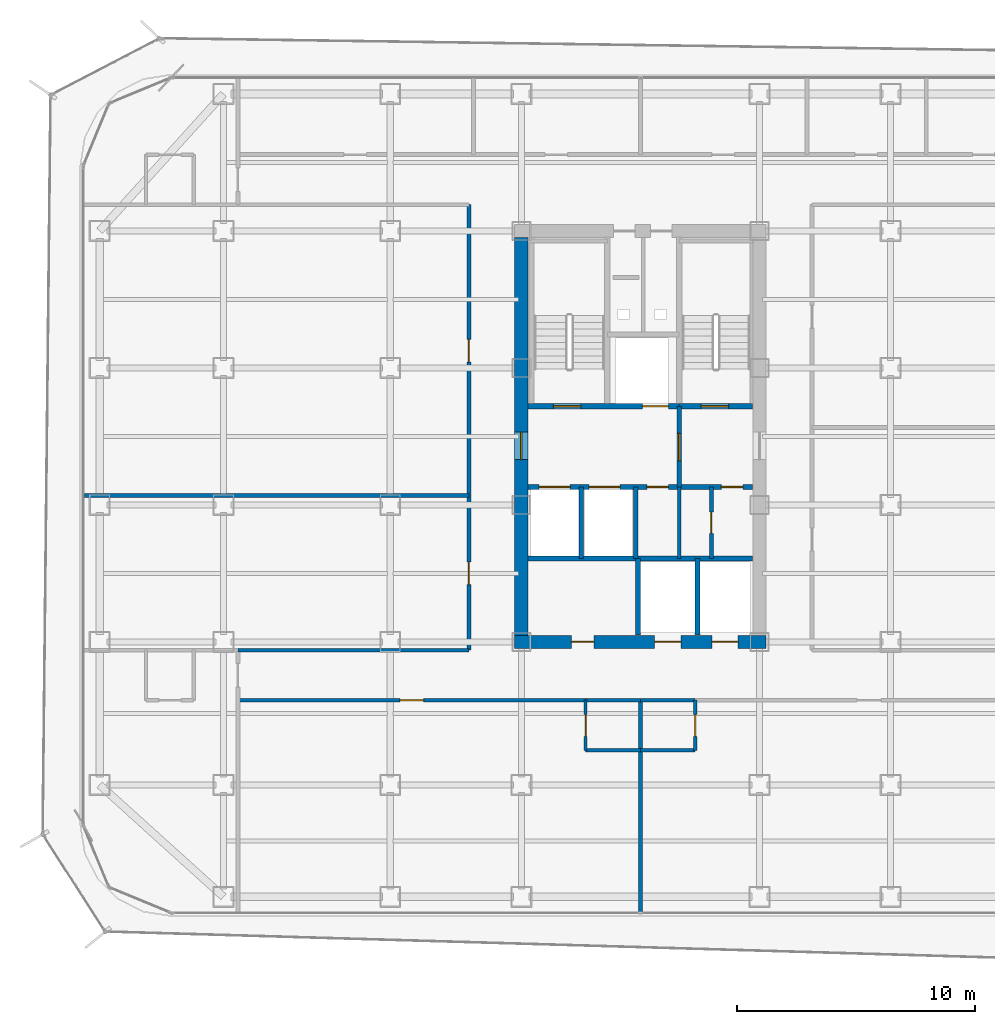
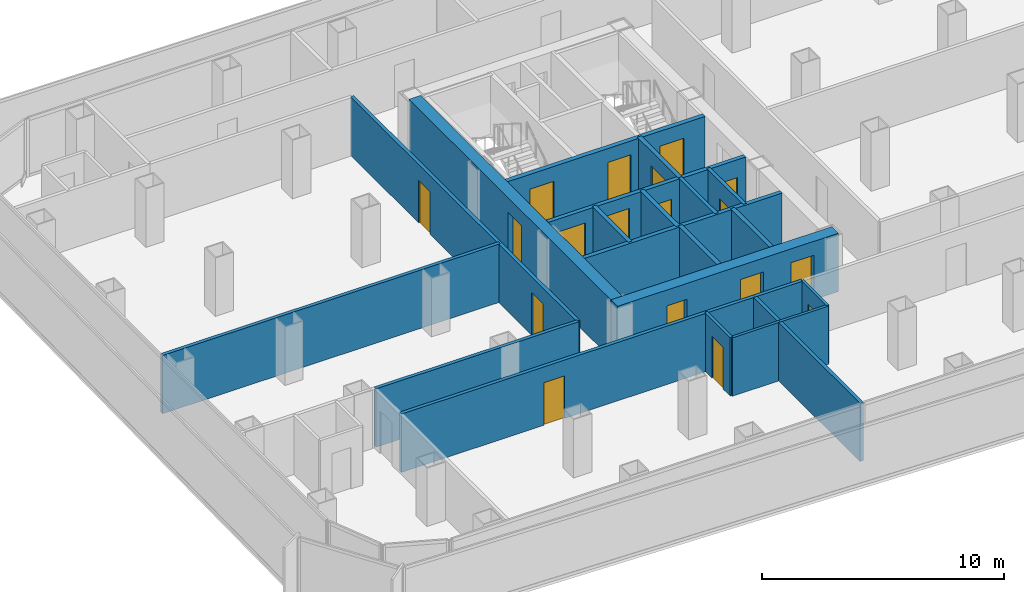
# One storey, part 16 of 21: 24 walls, 18 doors, 18 openings.
"""IFC4 building model written with IfcOpenShell, lengths in metres."""

from ifc_helpers import new_model, si_unit, direction, frame, frame_2d, origin, place, context, subcontext, project, spatial, rectangle, extrude, material, layer, layer_set, type_object, element, fill, save


model = new_model("IFC4")

# Units and contexts
model_context = context("Model", 3, precision=1e-05, world=origin(), true_north=direction((0.0, 1.0)))
body_context = subcontext(model_context, "Body", "Model", "MODEL_VIEW")
ifc_project = project(units=[si_unit("LENGTHUNIT", "METRE"), si_unit("AREAUNIT", "SQUARE_METRE"), si_unit("VOLUMEUNIT", "CUBIC_METRE"), si_unit("PLANEANGLEUNIT", "RADIAN"), si_unit("MASSUNIT", "GRAM", prefix="KILO")], contexts=[model_context])

# Site, building, storey
site_placement = place(None, origin())
site = spatial("IfcSite", under=ifc_project, at=site_placement, CompositionType="ELEMENT")
building_placement = place(site_placement, origin())
building = spatial("IfcBuilding", under=site, at=building_placement, Name="Kolveth Station Tower", CompositionType="ELEMENT")
storey_placement = place(building_placement, frame((0.0, 0.0, 131.10009765625)))
storey = spatial("IfcBuildingStorey", under=building, at=storey_placement, Name="L36", CompositionType="ELEMENT", Elevation=131.10009765625)

# Wall, openings, doors
ifc_material_1 = material(Name="Concrete C60/75", Category="concrete")
ifc_layer_1 = layer(ifc_material_1, 0.550048828125)
ifc_layer_set_1 = layer_set([ifc_layer_1], Name="Concrete C60/75")
wall_type_1 = type_object("IfcWallType", Name="Wall_CW-550", PredefinedType="SHEAR", material=ifc_layer_set_1)
wall_1_placement = place(storey_placement, frame((18.22509765625, 11.5, 0.0), z_axis=(0.0, 0.0, 1.0), x_axis=(1.0, 0.0, 0.0)))
wall_1 = element("IfcWall", 1, at=wall_1_placement, inside=storey, type_object=wall_type_1, Name="L36 Core RC Shear Wall S", PredefinedType="SHEAR", context=body_context, shape_type="SweptSolid", body=[
    extrude(rectangle(XDim=10.5498046875, YDim=0.550048828125, at=frame_2d((5.27490234375, 0.0))), origin(), (0.0, 0.0, 1.0), 2.949951171875),
])
opening_1_placement = place(wall_1_placement, frame((2.375, 0.0, 0.0)))
opening_1 = element("IfcOpeningElement", 2, at=opening_1_placement, cuts=wall_1, Name="Opening ID1", PredefinedType="OPENING", context=body_context, shape_type="SweptSolid", body=[
    extrude(rectangle(XDim=0.949951171875, YDim=2.14990234375, at=frame_2d((0.47509765625, 1.074951171875))), frame((0.0, 0.284912109375, 0.0), z_axis=(0.0, -1.0, 0.0), x_axis=(1.0, 0.0, 0.0)), (0.0, 0.0, 1.0), 0.570068359375),
])
opening_2_placement = place(wall_1_placement, frame((5.875, 0.0, 0.0)))
opening_2 = element("IfcOpeningElement", 3, at=opening_2_placement, cuts=wall_1, Name="Opening LD1", PredefinedType="OPENING", context=body_context, shape_type="SweptSolid", body=[
    extrude(rectangle(XDim=1.10009765625, YDim=2.25, at=frame_2d((0.550048828125, 1.125))), frame((0.0, 0.284912109375, 0.0), z_axis=(0.0, -1.0, 0.0), x_axis=(1.0, 0.0, 0.0)), (0.0, 0.0, 1.0), 0.570068359375),
])
opening_3_placement = place(wall_1_placement, frame((8.27490234375, 0.0, 0.0)))
opening_3 = element("IfcOpeningElement", 4, at=opening_3_placement, cuts=wall_1, Name="Opening LD1", PredefinedType="OPENING", context=body_context, shape_type="SweptSolid", body=[
    extrude(rectangle(XDim=1.10009765625, YDim=2.25, at=frame_2d((0.550048828125, 1.125))), frame((0.0, 0.284912109375, 0.0), z_axis=(0.0, -1.0, 0.0), x_axis=(1.0, 0.0, 0.0)), (0.0, 0.0, 1.0), 0.570068359375),
])
ifc_material_2 = material(Name="Acoustic hardwood leaf and aluminium frame", Category="wood")
door_type_1 = type_object("IfcDoorType", Name="Door_ID1", OperationType="NOTDEFINED", PredefinedType="DOOR", material=ifc_material_2)
door_1_placement = place(opening_1_placement, frame((0.949951171875, 0.0, 0.0), z_axis=(0.0, 0.0, 1.0), x_axis=(-1.0, 0.0, 0.0)))
door_1 = element("IfcDoor", 5, at=door_1_placement, inside=storey, type_object=door_type_1, Name="L36 Hotel Pantry Door", OperationType="SINGLE_SWING_LEFT", OverallHeight=2.14990234375, OverallWidth=0.949951171875, PredefinedType="DOOR", context=body_context, shape_type="SweptSolid", body=[
    extrude(rectangle(XDim=0.949951171875, YDim=2.14990234375, at=frame_2d((0.47509765625, 1.074951171875))), frame((0.0, 0.02490234375, 0.0), z_axis=(0.0, -1.0, 0.0), x_axis=(1.0, 0.0, 0.0)), (0.0, 0.0, 1.0), 0.050048828125),
])
fill(opening_1, door_1)
ifc_material_3 = material(Name="Brushed stainless steel sliding landing doors", Category="steel")
door_type_2 = type_object("IfcDoorType", Name="Door_LD1", OperationType="NOTDEFINED", PredefinedType="DOOR", material=ifc_material_3)
door_2_placement = place(opening_2_placement, frame((1.10009765625, 0.0, 0.0), z_axis=(0.0, 0.0, 1.0), x_axis=(-1.0, 0.0, 0.0)))
door_2 = element("IfcDoor", 6, at=door_2_placement, inside=storey, type_object=door_type_2, Name="L36 Lift PM1 Landing Door", OperationType="DOUBLE_DOOR_SLIDING", OverallHeight=2.25, OverallWidth=1.10009765625, PredefinedType="DOOR", context=body_context, shape_type="SweptSolid", body=[
    extrude(rectangle(XDim=1.10009765625, YDim=2.25, at=frame_2d((0.550048828125, 1.125))), frame((0.0, 0.02490234375, 0.0), z_axis=(0.0, -1.0, 0.0), x_axis=(1.0, 0.0, 0.0)), (0.0, 0.0, 1.0), 0.050048828125),
])
fill(opening_2, door_2)
door_3_placement = place(opening_3_placement, frame((1.10009765625, 0.0, 0.0), z_axis=(0.0, 0.0, 1.0), x_axis=(-1.0, 0.0, 0.0)))
door_3 = element("IfcDoor", 7, at=door_3_placement, inside=storey, type_object=door_type_2, Name="L36 Lift PH1 Landing Door", OperationType="DOUBLE_DOOR_SLIDING", OverallHeight=2.25, OverallWidth=1.10009765625, PredefinedType="DOOR", context=body_context, shape_type="SweptSolid", body=[
    extrude(rectangle(XDim=1.10009765625, YDim=2.25, at=frame_2d((0.550048828125, 1.125))), frame((0.0, 0.02490234375, 0.0), z_axis=(0.0, -1.0, 0.0), x_axis=(1.0, 0.0, 0.0)), (0.0, 0.0, 1.0), 0.050048828125),
])
fill(opening_3, door_3)

# Wall, opening, door
wall_2_placement = place(storey_placement, frame((18.5, 11.77490234375, 0.0), z_axis=(0.0, 0.0, 1.0), x_axis=(0.0, 1.0, 0.0)))
wall_2 = element("IfcWall", 8, at=wall_2_placement, inside=storey, type_object=wall_type_1, Name="L36 Core RC Shear Wall W", PredefinedType="SHEAR", context=body_context, shape_type="SweptSolid", body=[
    extrude(rectangle(XDim=16.7001953125, YDim=0.550048828125, at=frame_2d((8.35009765625, 0.0))), origin(), (0.0, 0.0, 1.0), 2.949951171875),
])
opening_4_placement = place(wall_2_placement, frame((7.375, 0.0, 0.0)))
opening_4 = element("IfcOpeningElement", 9, at=opening_4_placement, cuts=wall_2, Name="Opening FD1", PredefinedType="OPENING", context=body_context, shape_type="SweptSolid", body=[
    extrude(rectangle(XDim=1.14990234375, YDim=2.199951171875, at=frame_2d((0.574951171875, 1.10009765625))), frame((0.0, 0.284912109375, 0.0), z_axis=(0.0, -1.0, 0.0), x_axis=(1.0, 0.0, 0.0)), (0.0, 0.0, 1.0), 0.570068359375),
])
ifc_material_4 = material(Name="Fire-rated Steel S355 leaf and frame", Category="steel")
door_type_3 = type_object("IfcDoorType", Name="Door_FD1", OperationType="NOTDEFINED", PredefinedType="DOOR", material=ifc_material_4)
door_4_placement = place(opening_4_placement, frame((1.14990234375, 0.0, 0.0), z_axis=(0.0, 0.0, 1.0), x_axis=(-1.0, 0.0, 0.0)))
door_4 = element("IfcDoor", 10, at=door_4_placement, inside=storey, type_object=door_type_3, Name="L36 West Corridor to Firefighting Lobby Door", OperationType="SINGLE_SWING_LEFT", OverallHeight=2.199951171875, OverallWidth=1.14990234375, PredefinedType="DOOR", context=body_context, shape_type="SweptSolid", body=[
    extrude(rectangle(XDim=1.14990234375, YDim=2.199951171875, at=frame_2d((0.574951171875, 1.10009765625))), frame((0.0, 0.02490234375, 0.0), z_axis=(0.0, -1.0, 0.0), x_axis=(1.0, 0.0, 0.0)), (0.0, 0.0, 1.0), 0.050048828125),
])
fill(opening_4, door_4)

ifc_material_5 = material(Name="Moisture-resistant gypsum partition")
ifc_layer_2 = layer(ifc_material_5, 0.135009765625)
ifc_layer_set_2 = layer_set([ifc_layer_2], Name="Moisture-resistant gypsum partition")
wall_type_2 = type_object("IfcWallType", Name="Wall_IW-135", PredefinedType="PARTITIONING", material=ifc_layer_set_2)
wall_3_placement = place(storey_placement, frame((21.199951171875, 6.949951171875, 0.0), z_axis=(0.0, 0.0, 1.0), x_axis=(0.0, 1.0, 0.0)))
wall_3 = element("IfcWall", 11, at=wall_3_placement, inside=storey, type_object=wall_type_2, Name="L36 Partition Wall WL-L36-HS1-BV", PredefinedType="PARTITIONING", context=body_context, shape_type="SweptSolid", body=[
    extrude(rectangle(XDim=2.10009765625, YDim=0.135009765625, at=frame_2d((1.050048828125, 0.0))), origin(), (0.0, 0.0, 1.0), 2.949951171875),
])
opening_5_placement = place(wall_3_placement, frame((0.580078125, 0.0, 0.0)))
opening_5 = element("IfcOpeningElement", 12, at=opening_5_placement, cuts=wall_3, Name="Opening ID2", PredefinedType="OPENING", context=body_context, shape_type="SweptSolid", body=[
    extrude(rectangle(XDim=0.919921875, YDim=2.10009765625, at=frame_2d((0.4599609375, 1.050048828125))), frame((0.0, 0.077392578125, 0.0), z_axis=(0.0, -1.0, 0.0), x_axis=(1.0, 0.0, 0.0)), (0.0, 0.0, 1.0), 0.155029296875),
])
ifc_material_6 = material(Name="Moisture-resistant hardwood leaf", Category="wood")
door_type_4 = type_object("IfcDoorType", Name="Door_ID2", OperationType="NOTDEFINED", PredefinedType="DOOR", material=ifc_material_6)
door_5_placement = place(opening_5_placement, origin())
door_5 = element("IfcDoor", 13, at=door_5_placement, inside=storey, type_object=door_type_4, Name="L36 Hotel Corner Suite HS1 En-Suite Door", OperationType="SINGLE_SWING_RIGHT", OverallHeight=2.10009765625, OverallWidth=0.919921875, PredefinedType="DOOR", context=body_context, shape_type="SweptSolid", body=[
    extrude(rectangle(XDim=0.919921875, YDim=2.10009765625, at=frame_2d((0.4599609375, 1.050048828125))), frame((0.0, 0.02490234375, 0.0), z_axis=(0.0, -1.0, 0.0), x_axis=(1.0, 0.0, 0.0)), (0.0, 0.0, 1.0), 0.050048828125),
])
fill(opening_5, door_5)

# Wall
wall_4_placement = place(storey_placement, frame((21.199951171875, 6.949951171875, 0.0), z_axis=(0.0, 0.0, 1.0), x_axis=(1.0, 0.0, 0.0)))
element("IfcWall", 14, at=wall_4_placement, inside=storey, type_object=wall_type_2, Name="L36 Partition Wall WL-L36-HS1-BH", PredefinedType="PARTITIONING", context=body_context, shape_type="SweptSolid", body=[
    extrude(rectangle(XDim=2.300048828125, YDim=0.135009765625, at=frame_2d((1.14990234375, 0.0))), origin(), (0.0, 0.0, 1.0), 2.949951171875),
])

# Wall, opening, door
wall_5_placement = place(storey_placement, frame((25.800048828125, 6.949951171875, 0.0), z_axis=(0.0, 0.0, 1.0), x_axis=(0.0, 1.0, 0.0)))
wall_5 = element("IfcWall", 15, at=wall_5_placement, inside=storey, type_object=wall_type_2, Name="L36 Partition Wall WL-L36-HS2-BV", PredefinedType="PARTITIONING", context=body_context, shape_type="SweptSolid", body=[
    extrude(rectangle(XDim=2.10009765625, YDim=0.135009765625, at=frame_2d((1.050048828125, 0.0))), origin(), (0.0, 0.0, 1.0), 2.949951171875),
])
opening_6_placement = place(wall_5_placement, frame((0.580078125, 0.0, 0.0)))
opening_6 = element("IfcOpeningElement", 16, at=opening_6_placement, cuts=wall_5, Name="Opening ID2", PredefinedType="OPENING", context=body_context, shape_type="SweptSolid", body=[
    extrude(rectangle(XDim=0.919921875, YDim=2.10009765625, at=frame_2d((0.4599609375, 1.050048828125))), frame((0.0, 0.077392578125, 0.0), z_axis=(0.0, -1.0, 0.0), x_axis=(1.0, 0.0, 0.0)), (0.0, 0.0, 1.0), 0.155029296875),
])
door_6_placement = place(opening_6_placement, frame((0.919921875, 0.0, 0.0), z_axis=(0.0, 0.0, 1.0), x_axis=(-1.0, 0.0, 0.0)))
door_6 = element("IfcDoor", 17, at=door_6_placement, inside=storey, type_object=door_type_4, Name="L36 Hotel Corner Suite HS2 En-Suite Door", OperationType="SINGLE_SWING_RIGHT", OverallHeight=2.10009765625, OverallWidth=0.919921875, PredefinedType="DOOR", context=body_context, shape_type="SweptSolid", body=[
    extrude(rectangle(XDim=0.919921875, YDim=2.10009765625, at=frame_2d((0.4599609375, 1.050048828125))), frame((0.0, 0.02490234375, 0.0), z_axis=(0.0, -1.0, 0.0), x_axis=(1.0, 0.0, 0.0)), (0.0, 0.0, 1.0), 0.050048828125),
])
fill(opening_6, door_6)

# Walls
wall_6_placement = place(storey_placement, frame((23.5, 6.949951171875, 0.0), z_axis=(0.0, 0.0, 1.0), x_axis=(1.0, 0.0, 0.0)))
element("IfcWall", 18, at=wall_6_placement, inside=storey, type_object=wall_type_2, Name="L36 Partition Wall WL-L36-HS2-BH", PredefinedType="PARTITIONING", context=body_context, shape_type="SweptSolid", body=[
    extrude(rectangle(XDim=2.300048828125, YDim=0.135009765625, at=frame_2d((1.14990234375, 0.0))), origin(), (0.0, 0.0, 1.0), 2.949951171875),
])
ifc_material_7 = material(Name="Acoustic double-stud gypsum partition")
ifc_layer_3 = layer(ifc_material_7, 0.1650390625)
ifc_layer_set_3 = layer_set([ifc_layer_3], Name="Acoustic double-stud gypsum partition")
wall_type_3 = type_object("IfcWallType", Name="Wall_IW-165", PredefinedType="PARTITIONING", material=ifc_layer_set_3)
wall_7_placement = place(storey_placement, frame((25.1298828125, 15.0, 0.0), z_axis=(0.0, 0.0, 1.0), x_axis=(0.0, 1.0, 0.0)))
element("IfcWall", 19, at=wall_7_placement, inside=storey, type_object=wall_type_3, Name="L36 Partition Wall WL-L36-CB-V3A", PredefinedType="PARTITIONING", context=body_context, shape_type="SweptSolid", body=[
    extrude(rectangle(XDim=3.0, YDim=0.1650390625, at=frame_2d((1.5, 0.0))), origin(), (0.0, 0.0, 1.0), 2.949951171875),
])

# Wall, opening, door
wall_8_placement = place(storey_placement, frame((26.47998046875, 15.0, 0.0), z_axis=(0.0, 0.0, 1.0), x_axis=(0.0, 1.0, 0.0)))
wall_8 = element("IfcWall", 20, at=wall_8_placement, inside=storey, type_object=wall_type_3, Name="L36 Partition Wall WL-L36-CB-V3B", PredefinedType="PARTITIONING", context=body_context, shape_type="SweptSolid", body=[
    extrude(rectangle(XDim=3.0, YDim=0.1650390625, at=frame_2d((1.5, 0.0))), origin(), (0.0, 0.0, 1.0), 2.949951171875),
])
opening_7_placement = place(wall_8_placement, frame((1.050048828125, 0.0, 0.0)))
opening_7 = element("IfcOpeningElement", 21, at=opening_7_placement, cuts=wall_8, Name="Opening RD1", PredefinedType="OPENING", context=body_context, shape_type="SweptSolid", body=[
    extrude(rectangle(XDim=0.89990234375, YDim=2.050048828125, at=frame_2d((0.449951171875, 1.02490234375))), frame((0.0, 0.092529296875, 0.0), z_axis=(0.0, -1.0, 0.0), x_axis=(1.0, 0.0, 0.0)), (0.0, 0.0, 1.0), 0.18505859375),
])
ifc_material_8 = material(Name="Fire-rated Steel S355 riser access leaf", Category="steel")
door_type_5 = type_object("IfcDoorType", Name="Door_RD1", OperationType="NOTDEFINED", PredefinedType="DOOR", material=ifc_material_8)
door_7_placement = place(opening_7_placement, origin())
door_7 = element("IfcDoor", 22, at=door_7_placement, inside=storey, type_object=door_type_5, Name="L36 Core Meter Closet Door", OperationType="SINGLE_SWING_LEFT", OverallHeight=2.050048828125, OverallWidth=0.89990234375, PredefinedType="DOOR", context=body_context, shape_type="SweptSolid", body=[
    extrude(rectangle(XDim=0.89990234375, YDim=2.050048828125, at=frame_2d((0.449951171875, 1.02490234375))), frame((0.0, 0.02490234375, 0.0), z_axis=(0.0, -1.0, 0.0), x_axis=(1.0, 0.0, 0.0)), (0.0, 0.0, 1.0), 0.050048828125),
])
fill(opening_7, door_7)

# Wall
wall_9_placement = place(storey_placement, frame((6.60009765625, 11.14990234375, 0.0), z_axis=(0.0, 0.0, 1.0), x_axis=(1.0, 0.0, 0.0)))
element("IfcWall", 23, at=wall_9_placement, inside=storey, type_object=wall_type_3, Name="L36 Partition Wall WL-L36-HSWT", PredefinedType="PARTITIONING", context=body_context, shape_type="SweptSolid", body=[
    extrude(rectangle(XDim=9.699951171875, YDim=0.1650390625, at=frame_2d((4.85009765625, 0.0))), origin(), (0.0, 0.0, 1.0), 2.949951171875),
])

# Wall, openings, doors
wall_10_placement = place(storey_placement, frame((16.300048828125, 11.14990234375, 0.0), z_axis=(0.0, 0.0, 1.0), x_axis=(0.0, 1.0, 0.0)))
wall_10 = element("IfcWall", 24, at=wall_10_placement, inside=storey, type_object=wall_type_3, Name="L36 Partition Wall WL-L36-HW", PredefinedType="PARTITIONING", context=body_context, shape_type="SweptSolid", body=[
    extrude(rectangle(XDim=18.7001953125, YDim=0.1650390625, at=frame_2d((9.35009765625, 0.0))), origin(), (0.0, 0.0, 1.0), 2.949951171875),
])
opening_8_placement = place(wall_10_placement, frame((2.75, 0.0, 0.0)))
opening_8 = element("IfcOpeningElement", 25, at=opening_8_placement, cuts=wall_10, Name="Opening ID1", PredefinedType="OPENING", context=body_context, shape_type="SweptSolid", body=[
    extrude(rectangle(XDim=0.949951171875, YDim=2.14990234375, at=frame_2d((0.47509765625, 1.074951171875))), frame((0.0, 0.092529296875, 0.0), z_axis=(0.0, -1.0, 0.0), x_axis=(1.0, 0.0, 0.0)), (0.0, 0.0, 1.0), 0.18505859375),
])
opening_9_placement = place(wall_10_placement, frame((12.10009765625, 0.0, 0.0)))
opening_9 = element("IfcOpeningElement", 26, at=opening_9_placement, cuts=wall_10, Name="Opening ID1", PredefinedType="OPENING", context=body_context, shape_type="SweptSolid", body=[
    extrude(rectangle(XDim=0.949951171875, YDim=2.14990234375, at=frame_2d((0.47509765625, 1.074951171875))), frame((0.0, 0.092529296875, 0.0), z_axis=(0.0, -1.0, 0.0), x_axis=(1.0, 0.0, 0.0)), (0.0, 0.0, 1.0), 0.18505859375),
])
door_8_placement = place(opening_8_placement, frame((0.949951171875, 0.0, 0.0), z_axis=(0.0, 0.0, 1.0), x_axis=(-1.0, 0.0, 0.0)))
door_8 = element("IfcDoor", 27, at=door_8_placement, inside=storey, type_object=door_type_1, Name="L36 Hospitality Office Door", OperationType="SINGLE_SWING_LEFT", OverallHeight=2.14990234375, OverallWidth=0.949951171875, PredefinedType="DOOR", context=body_context, shape_type="SweptSolid", body=[
    extrude(rectangle(XDim=0.949951171875, YDim=2.14990234375, at=frame_2d((0.47509765625, 1.074951171875))), frame((0.0, 0.02490234375, 0.0), z_axis=(0.0, -1.0, 0.0), x_axis=(1.0, 0.0, 0.0)), (0.0, 0.0, 1.0), 0.050048828125),
])
fill(opening_8, door_8)
door_9_placement = place(opening_9_placement, frame((0.949951171875, 0.0, 0.0), z_axis=(0.0, 0.0, 1.0), x_axis=(-1.0, 0.0, 0.0)))
door_9 = element("IfcDoor", 28, at=door_9_placement, inside=storey, type_object=door_type_1, Name="L36 Hotel Guest Lounge Door", OperationType="SINGLE_SWING_RIGHT", OverallHeight=2.14990234375, OverallWidth=0.949951171875, PredefinedType="DOOR", context=body_context, shape_type="SweptSolid", body=[
    extrude(rectangle(XDim=0.949951171875, YDim=2.14990234375, at=frame_2d((0.47509765625, 1.074951171875))), frame((0.0, 0.02490234375, 0.0), z_axis=(0.0, -1.0, 0.0), x_axis=(1.0, 0.0, 0.0)), (0.0, 0.0, 1.0), 0.050048828125),
])
fill(opening_9, door_9)

# Wall
wall_11_placement = place(storey_placement, frame((21.199951171875, 9.050048828125, 0.0), z_axis=(0.0, 0.0, 1.0), x_axis=(1.0, 0.0, 0.0)))
element("IfcWall", 29, at=wall_11_placement, inside=storey, type_object=wall_type_3, Name="L36 Partition Wall WL-L36-HS1-BCOR", PredefinedType="PARTITIONING", context=body_context, shape_type="SweptSolid", body=[
    extrude(rectangle(XDim=2.300048828125, YDim=0.1650390625, at=frame_2d((1.14990234375, 0.0))), origin(), (0.0, 0.0, 1.0), 2.949951171875),
])

# Wall, opening, door
wall_12_placement = place(storey_placement, frame((6.60009765625, 9.050048828125, 0.0), z_axis=(0.0, 0.0, 1.0), x_axis=(1.0, 0.0, 0.0)))
wall_12 = element("IfcWall", 30, at=wall_12_placement, inside=storey, type_object=wall_type_3, Name="L36 Partition Wall WL-L36-HS1-RCOR", PredefinedType="PARTITIONING", context=body_context, shape_type="SweptSolid", body=[
    extrude(rectangle(XDim=14.599853515625, YDim=0.1650390625, at=frame_2d((7.2998046875, 0.0))), origin(), (0.0, 0.0, 1.0), 2.949951171875),
])
opening_10_placement = place(wall_12_placement, frame((6.800048828125, 0.0, 0.0)))
opening_10 = element("IfcOpeningElement", 31, at=opening_10_placement, cuts=wall_12, Name="Opening FD3", PredefinedType="OPENING", context=body_context, shape_type="SweptSolid", body=[
    extrude(rectangle(XDim=1.0, YDim=2.14990234375, at=frame_2d((0.5, 1.074951171875))), frame((0.0, 0.092529296875, 0.0), z_axis=(0.0, -1.0, 0.0), x_axis=(1.0, 0.0, 0.0)), (0.0, 0.0, 1.0), 0.18505859375),
])
ifc_material_9 = material(Name="Fire-rated hardwood leaf and aluminium frame", Category="wood")
door_type_6 = type_object("IfcDoorType", Name="Door_FD3", OperationType="NOTDEFINED", PredefinedType="DOOR", material=ifc_material_9)
door_10_placement = place(opening_10_placement, frame((1.0, 0.0, 0.0), z_axis=(0.0, 0.0, 1.0), x_axis=(-1.0, 0.0, 0.0)))
door_10 = element("IfcDoor", 32, at=door_10_placement, inside=storey, type_object=door_type_6, Name="L36 Hotel Corner Suite HS1 Entrance Door", OperationType="SINGLE_SWING_LEFT", OverallHeight=2.14990234375, OverallWidth=1.0, PredefinedType="DOOR", context=body_context, shape_type="SweptSolid", body=[
    extrude(rectangle(XDim=1.0, YDim=2.14990234375, at=frame_2d((0.5, 1.074951171875))), frame((0.0, 0.02490234375, 0.0), z_axis=(0.0, -1.0, 0.0), x_axis=(1.0, 0.0, 0.0)), (0.0, 0.0, 1.0), 0.050048828125),
])
fill(opening_10, door_10)

# Walls
wall_13_placement = place(storey_placement, frame((23.5, 0.159912109375, 0.0), z_axis=(0.0, 0.0, 1.0), x_axis=(0.0, 1.0, 0.0)))
element("IfcWall", 33, at=wall_13_placement, inside=storey, type_object=wall_type_3, Name="L36 Partition Wall WL-L36-HSK-1", PredefinedType="PARTITIONING", context=body_context, shape_type="SweptSolid", body=[
    extrude(rectangle(XDim=8.89013671875, YDim=0.1650390625, at=frame_2d((4.445068359375, 0.0))), origin(), (0.0, 0.0, 1.0), 2.949951171875),
])
wall_14_placement = place(storey_placement, frame((23.5, 9.050048828125, 0.0), z_axis=(0.0, 0.0, 1.0), x_axis=(1.0, 0.0, 0.0)))
element("IfcWall", 34, at=wall_14_placement, inside=storey, type_object=wall_type_3, Name="L36 Partition Wall WL-L36-HS2-BCOR", PredefinedType="PARTITIONING", context=body_context, shape_type="SweptSolid", body=[
    extrude(rectangle(XDim=2.300048828125, YDim=0.1650390625, at=frame_2d((1.14990234375, 0.0))), origin(), (0.0, 0.0, 1.0), 2.949951171875),
])
wall_15_placement = place(storey_placement, frame((0.159912109375, 17.64990234375, 0.0), z_axis=(0.0, 0.0, 1.0), x_axis=(1.0, 0.0, 0.0)))
element("IfcWall", 35, at=wall_15_placement, inside=storey, type_object=wall_type_3, Name="L36 Partition Wall WL-L36-HMW-P1", PredefinedType="PARTITIONING", context=body_context, shape_type="SweptSolid", body=[
    extrude(rectangle(XDim=16.14013671875, YDim=0.1650390625, at=frame_2d((8.070068359375, 0.0))), origin(), (0.0, 0.0, 1.0), 2.949951171875),
])

# Wall, opening, door
ifc_material_10 = material(Name="Acoustic fire-rated gypsum blockwork", Category="masonry")
ifc_layer_4 = layer(ifc_material_10, 0.199951171875)
ifc_layer_set_4 = layer_set([ifc_layer_4], Name="Acoustic fire-rated gypsum blockwork")
wall_type_4 = type_object("IfcWallType", Name="Wall_IW-200", PredefinedType="PARTITIONING", material=ifc_layer_set_4)
wall_16_placement = place(storey_placement, frame((25.1298828125, 18.0, 0.0), z_axis=(0.0, 0.0, 1.0), x_axis=(0.0, 1.0, 0.0)))
wall_16 = element("IfcWall", 36, at=wall_16_placement, inside=storey, type_object=wall_type_4, Name="L36 Partition Wall WL-L36-FFL-E", PredefinedType="PARTITIONING", context=body_context, shape_type="SweptSolid", body=[
    extrude(rectangle(XDim=3.389892578125, YDim=0.199951171875, at=frame_2d((1.69482421875, 0.0))), origin(), (0.0, 0.0, 1.0), 2.949951171875),
])
opening_11_placement = place(wall_16_placement, frame((1.10009765625, 0.0, 0.0)))
opening_11 = element("IfcOpeningElement", 37, at=opening_11_placement, cuts=wall_16, Name="Opening FD1", PredefinedType="OPENING", context=body_context, shape_type="SweptSolid", body=[
    extrude(rectangle(XDim=1.14990234375, YDim=2.199951171875, at=frame_2d((0.574951171875, 1.10009765625))), frame((0.0, 0.10986328125, 0.0), z_axis=(0.0, -1.0, 0.0), x_axis=(1.0, 0.0, 0.0)), (0.0, 0.0, 1.0), 0.219970703125),
])
door_11_placement = place(opening_11_placement, origin())
door_11 = element("IfcDoor", 38, at=door_11_placement, inside=storey, type_object=door_type_3, Name="L36 Firefighting to Stair Lobby Door", OperationType="SINGLE_SWING_LEFT", OverallHeight=2.199951171875, OverallWidth=1.14990234375, PredefinedType="DOOR", context=body_context, shape_type="SweptSolid", body=[
    extrude(rectangle(XDim=1.14990234375, YDim=2.199951171875, at=frame_2d((0.574951171875, 1.10009765625))), frame((0.0, 0.02490234375, 0.0), z_axis=(0.0, -1.0, 0.0), x_axis=(1.0, 0.0, 0.0)), (0.0, 0.0, 1.0), 0.050048828125),
])
fill(opening_11, door_11)

# Wall, openings, doors
wall_17_placement = place(storey_placement, frame((18.784912109375, 18.0, 0.0), z_axis=(0.0, 0.0, 1.0), x_axis=(1.0, 0.0, 0.0)))
wall_17 = element("IfcWall", 39, at=wall_17_placement, inside=storey, type_object=wall_type_4, Name="L36 Partition Wall WL-L36-FFL-S", PredefinedType="PARTITIONING", context=body_context, shape_type="SweptSolid", body=[
    extrude(rectangle(XDim=9.43017578125, YDim=0.199951171875, at=frame_2d((4.715087890625, 0.0))), origin(), (0.0, 0.0, 1.0), 2.949951171875),
])
opening_12_placement = place(wall_17_placement, frame((0.465087890625, 0.0, 0.0)))
opening_12 = element("IfcOpeningElement", 40, at=opening_12_placement, cuts=wall_17, Name="Opening LD2", PredefinedType="OPENING", context=body_context, shape_type="SweptSolid", body=[
    extrude(rectangle(XDim=1.300048828125, YDim=2.300048828125, at=frame_2d((0.64990234375, 1.14990234375))), frame((0.0, 0.10986328125, 0.0), z_axis=(0.0, -1.0, 0.0), x_axis=(1.0, 0.0, 0.0)), (0.0, 0.0, 1.0), 0.219970703125),
])
opening_13_placement = place(wall_17_placement, frame((2.56494140625, 0.0, 0.0)))
opening_13 = element("IfcOpeningElement", 41, at=opening_13_placement, cuts=wall_17, Name="Opening LD2", PredefinedType="OPENING", context=body_context, shape_type="SweptSolid", body=[
    extrude(rectangle(XDim=1.300048828125, YDim=2.300048828125, at=frame_2d((0.64990234375, 1.14990234375))), frame((0.0, 0.10986328125, 0.0), z_axis=(0.0, -1.0, 0.0), x_axis=(1.0, 0.0, 0.0)), (0.0, 0.0, 1.0), 0.219970703125),
])
opening_14_placement = place(wall_17_placement, frame((4.985107421875, 0.0, 0.0)))
opening_14 = element("IfcOpeningElement", 42, at=opening_14_placement, cuts=wall_17, Name="Opening RD1", PredefinedType="OPENING", context=body_context, shape_type="SweptSolid", body=[
    extrude(rectangle(XDim=0.89990234375, YDim=2.050048828125, at=frame_2d((0.449951171875, 1.02490234375))), frame((0.0, 0.10986328125, 0.0), z_axis=(0.0, -1.0, 0.0), x_axis=(1.0, 0.0, 0.0)), (0.0, 0.0, 1.0), 0.219970703125),
])
opening_15_placement = place(wall_17_placement, frame((8.114990234375, 0.0, 0.0)))
opening_15 = element("IfcOpeningElement", 43, at=opening_15_placement, cuts=wall_17, Name="Opening RD1", PredefinedType="OPENING", context=body_context, shape_type="SweptSolid", body=[
    extrude(rectangle(XDim=0.89990234375, YDim=2.050048828125, at=frame_2d((0.449951171875, 1.02490234375))), frame((0.0, 0.10986328125, 0.0), z_axis=(0.0, -1.0, 0.0), x_axis=(1.0, 0.0, 0.0)), (0.0, 0.0, 1.0), 0.219970703125),
])
ifc_material_11 = material(Name="Firefighting stainless steel sliding landing doors", Category="steel")
door_type_7 = type_object("IfcDoorType", Name="Door_LD2", OperationType="NOTDEFINED", PredefinedType="DOOR", material=ifc_material_11)
door_12_placement = place(opening_12_placement, origin())
door_12 = element("IfcDoor", 44, at=door_12_placement, inside=storey, type_object=door_type_7, Name="L36 Firefighting Lift FF1 Landing Door", OperationType="DOUBLE_DOOR_SLIDING", OverallHeight=2.300048828125, OverallWidth=1.300048828125, PredefinedType="DOOR", context=body_context, shape_type="SweptSolid", body=[
    extrude(rectangle(XDim=1.300048828125, YDim=2.300048828125, at=frame_2d((0.64990234375, 1.14990234375))), frame((0.0, 0.02490234375, 0.0), z_axis=(0.0, -1.0, 0.0), x_axis=(1.0, 0.0, 0.0)), (0.0, 0.0, 1.0), 0.050048828125),
])
fill(opening_12, door_12)
door_13_placement = place(opening_13_placement, origin())
door_13 = element("IfcDoor", 45, at=door_13_placement, inside=storey, type_object=door_type_7, Name="L36 Firefighting Lift FF2 Landing Door", OperationType="DOUBLE_DOOR_SLIDING", OverallHeight=2.300048828125, OverallWidth=1.300048828125, PredefinedType="DOOR", context=body_context, shape_type="SweptSolid", body=[
    extrude(rectangle(XDim=1.300048828125, YDim=2.300048828125, at=frame_2d((0.64990234375, 1.14990234375))), frame((0.0, 0.02490234375, 0.0), z_axis=(0.0, -1.0, 0.0), x_axis=(1.0, 0.0, 0.0)), (0.0, 0.0, 1.0), 0.050048828125),
])
fill(opening_13, door_13)
door_14_placement = place(opening_14_placement, frame((0.89990234375, 0.0, 0.0), z_axis=(0.0, 0.0, 1.0), x_axis=(-1.0, 0.0, 0.0)))
door_14 = element("IfcDoor", 46, at=door_14_placement, inside=storey, type_object=door_type_5, Name="L36 Core Staff WC Door", OperationType="SINGLE_SWING_RIGHT", OverallHeight=2.050048828125, OverallWidth=0.89990234375, PredefinedType="DOOR", context=body_context, shape_type="SweptSolid", body=[
    extrude(rectangle(XDim=0.89990234375, YDim=2.050048828125, at=frame_2d((0.449951171875, 1.02490234375))), frame((0.0, 0.02490234375, 0.0), z_axis=(0.0, -1.0, 0.0), x_axis=(1.0, 0.0, 0.0)), (0.0, 0.0, 1.0), 0.050048828125),
])
fill(opening_14, door_14)
door_15_placement = place(opening_15_placement, frame((0.89990234375, 0.0, 0.0), z_axis=(0.0, 0.0, 1.0), x_axis=(-1.0, 0.0, 0.0)))
door_15 = element("IfcDoor", 47, at=door_15_placement, inside=storey, type_object=door_type_5, Name="L36 Housekeeping and Linen Room Door", OperationType="SINGLE_SWING_LEFT", OverallHeight=2.050048828125, OverallWidth=0.89990234375, PredefinedType="DOOR", context=body_context, shape_type="SweptSolid", body=[
    extrude(rectangle(XDim=0.89990234375, YDim=2.050048828125, at=frame_2d((0.449951171875, 1.02490234375))), frame((0.0, 0.02490234375, 0.0), z_axis=(0.0, -1.0, 0.0), x_axis=(1.0, 0.0, 0.0)), (0.0, 0.0, 1.0), 0.050048828125),
])
fill(opening_15, door_15)

# Walls
for number, where, z_axis, x_axis, name in (
    (48, (21.02001953125, 15.0, 0.0), (0.0, 0.0, 1.0), (0.0, 1.0, 0.0), "L36 Partition Wall WL-L36-FF12"),
    (49, (23.300048828125, 15.0, 0.0), (0.0, 0.0, 1.0), (0.0, 1.0, 0.0), "L36 Partition Wall WL-L36-FF2E"),
):
    element("IfcWall", number, at=place(storey_placement, frame(where, z_axis=z_axis, x_axis=x_axis)), inside=storey, type_object=wall_type_4, Name=name, PredefinedType="PARTITIONING", context=body_context, shape_type="SweptSolid", body=[
        extrude(rectangle(XDim=3.0, YDim=0.199951171875, at=frame_2d((1.5, 0.0))), origin(), (0.0, 0.0, 1.0), 2.949951171875),
    ])
wall_18_placement = place(storey_placement, frame((18.784912109375, 15.0, 0.0), z_axis=(0.0, 0.0, 1.0), x_axis=(1.0, 0.0, 0.0)))
element("IfcWall", 50, at=wall_18_placement, inside=storey, type_object=wall_type_4, Name="L36 Partition Wall WL-L36-BOH-S", PredefinedType="PARTITIONING", context=body_context, shape_type="SweptSolid", body=[
    extrude(rectangle(XDim=9.43017578125, YDim=0.199951171875, at=frame_2d((4.715087890625, 0.0))), origin(), (0.0, 0.0, 1.0), 2.949951171875),
])
for number, where, z_axis, x_axis, name in (
    (51, (23.39990234375, 11.784912109375, 0.0), (0.0, 0.0, 1.0), (0.0, 1.0, 0.0), "L36 Partition Wall WL-L36-PL2E"),
    (52, (25.89990234375, 11.784912109375, 0.0), (0.0, 0.0, 1.0), (0.0, 1.0, 0.0), "L36 Partition Wall WL-L36-PMPH"),
):
    element("IfcWall", number, at=place(storey_placement, frame(where, z_axis=z_axis, x_axis=x_axis)), inside=storey, type_object=wall_type_4, Name=name, PredefinedType="PARTITIONING", context=body_context, shape_type="SweptSolid", body=[
        extrude(rectangle(XDim=3.215087890625, YDim=0.199951171875, at=frame_2d((1.607421875, 0.0))), origin(), (0.0, 0.0, 1.0), 2.949951171875),
    ])

# Wall, openings, doors
ifc_material_12 = material(Name="Concrete C40/50", Category="concrete")
ifc_layer_5 = layer(ifc_material_12, 0.219970703125)
ifc_layer_set_5 = layer_set([ifc_layer_5], Name="Concrete C40/50")
wall_type_5 = type_object("IfcWallType", Name="Wall_IW-220", PredefinedType="SOLIDWALL", material=ifc_layer_set_5)
wall_19_placement = place(storey_placement, frame((18.784912109375, 21.389892578125, 0.0), z_axis=(0.0, 0.0, 1.0), x_axis=(1.0, 0.0, 0.0)))
wall_19 = element("IfcWall", 53, at=wall_19_placement, inside=storey, type_object=wall_type_5, Name="L36 Stair Shaft Wall WL-L36-ST1-S", PredefinedType="SOLIDWALL", context=body_context, shape_type="SweptSolid", body=[
    extrude(rectangle(XDim=6.344970703125, YDim=0.219970703125, at=frame_2d((3.17236328125, 0.0))), origin(), (0.0, 0.0, 1.0), 2.949951171875),
])
opening_16_placement = place(wall_19_placement, frame((1.06494140625, 0.0, 0.0)))
opening_16 = element("IfcOpeningElement", 54, at=opening_16_placement, cuts=wall_19, Name="Opening FD1", PredefinedType="OPENING", context=body_context, shape_type="SweptSolid", body=[
    extrude(rectangle(XDim=1.14990234375, YDim=2.199951171875, at=frame_2d((0.574951171875, 1.10009765625))), frame((0.0, 0.119873046875, 0.0), z_axis=(0.0, -1.0, 0.0), x_axis=(1.0, 0.0, 0.0)), (0.0, 0.0, 1.0), 0.239990234375),
])
opening_17_placement = place(wall_19_placement, frame((4.794921875, 0.0, 0.0)))
opening_17 = element("IfcOpeningElement", 55, at=opening_17_placement, cuts=wall_19, Name="Opening LD1", PredefinedType="OPENING", context=body_context, shape_type="SweptSolid", body=[
    extrude(rectangle(XDim=1.10009765625, YDim=2.25, at=frame_2d((0.550048828125, 1.125))), frame((0.0, 0.119873046875, 0.0), z_axis=(0.0, -1.0, 0.0), x_axis=(1.0, 0.0, 0.0)), (0.0, 0.0, 1.0), 0.239990234375),
])
door_16_placement = place(opening_16_placement, frame((1.14990234375, 0.0, 0.0), z_axis=(0.0, 0.0, 1.0), x_axis=(-1.0, 0.0, 0.0)))
door_16 = element("IfcDoor", 56, at=door_16_placement, inside=storey, type_object=door_type_3, Name="L36 Stair ST1 Fire Door", OperationType="SINGLE_SWING_LEFT", OverallHeight=2.199951171875, OverallWidth=1.14990234375, PredefinedType="DOOR", context=body_context, shape_type="SweptSolid", body=[
    extrude(rectangle(XDim=1.14990234375, YDim=2.199951171875, at=frame_2d((0.574951171875, 1.10009765625))), frame((0.0, 0.02490234375, 0.0), z_axis=(0.0, -1.0, 0.0), x_axis=(1.0, 0.0, 0.0)), (0.0, 0.0, 1.0), 0.050048828125),
])
fill(opening_16, door_16)
door_17_placement = place(opening_17_placement, frame((1.10009765625, 0.0, 0.0), z_axis=(0.0, 0.0, 1.0), x_axis=(-1.0, 0.0, 0.0)))
door_17 = element("IfcDoor", 57, at=door_17_placement, inside=storey, type_object=door_type_2, Name="L36 Service Lift SV1 Landing Door", OperationType="DOUBLE_DOOR_SLIDING", OverallHeight=2.25, OverallWidth=1.10009765625, PredefinedType="DOOR", context=body_context, shape_type="SweptSolid", body=[
    extrude(rectangle(XDim=1.10009765625, YDim=2.25, at=frame_2d((0.550048828125, 1.125))), frame((0.0, 0.02490234375, 0.0), z_axis=(0.0, -1.0, 0.0), x_axis=(1.0, 0.0, 0.0)), (0.0, 0.0, 1.0), 0.050048828125),
])
fill(opening_17, door_17)

# Wall, opening, door
wall_20_placement = place(storey_placement, frame((25.1298828125, 21.389892578125, 0.0), z_axis=(0.0, 0.0, 1.0), x_axis=(1.0, 0.0, 0.0)))
wall_20 = element("IfcWall", 58, at=wall_20_placement, inside=storey, type_object=wall_type_5, Name="L36 Stair Shaft Wall WL-L36-ST2-S", PredefinedType="SOLIDWALL", context=body_context, shape_type="SweptSolid", body=[
    extrude(rectangle(XDim=3.085205078125, YDim=0.219970703125, at=frame_2d((1.54248046875, 0.0))), origin(), (0.0, 0.0, 1.0), 2.949951171875),
])
opening_18_placement = place(wall_20_placement, frame((0.919921875, 0.0, 0.0)))
opening_18 = element("IfcOpeningElement", 59, at=opening_18_placement, cuts=wall_20, Name="Opening FD1", PredefinedType="OPENING", context=body_context, shape_type="SweptSolid", body=[
    extrude(rectangle(XDim=1.14990234375, YDim=2.199951171875, at=frame_2d((0.574951171875, 1.10009765625))), frame((0.0, 0.119873046875, 0.0), z_axis=(0.0, -1.0, 0.0), x_axis=(1.0, 0.0, 0.0)), (0.0, 0.0, 1.0), 0.239990234375),
])
door_18_placement = place(opening_18_placement, frame((1.14990234375, 0.0, 0.0), z_axis=(0.0, 0.0, 1.0), x_axis=(-1.0, 0.0, 0.0)))
door_18 = element("IfcDoor", 60, at=door_18_placement, inside=storey, type_object=door_type_3, Name="L36 Stair ST2 Fire Door", OperationType="SINGLE_SWING_RIGHT", OverallHeight=2.199951171875, OverallWidth=1.14990234375, PredefinedType="DOOR", context=body_context, shape_type="SweptSolid", body=[
    extrude(rectangle(XDim=1.14990234375, YDim=2.199951171875, at=frame_2d((0.574951171875, 1.10009765625))), frame((0.0, 0.02490234375, 0.0), z_axis=(0.0, -1.0, 0.0), x_axis=(1.0, 0.0, 0.0)), (0.0, 0.0, 1.0), 0.050048828125),
])
fill(opening_18, door_18)

save(model, "model.ifc")
